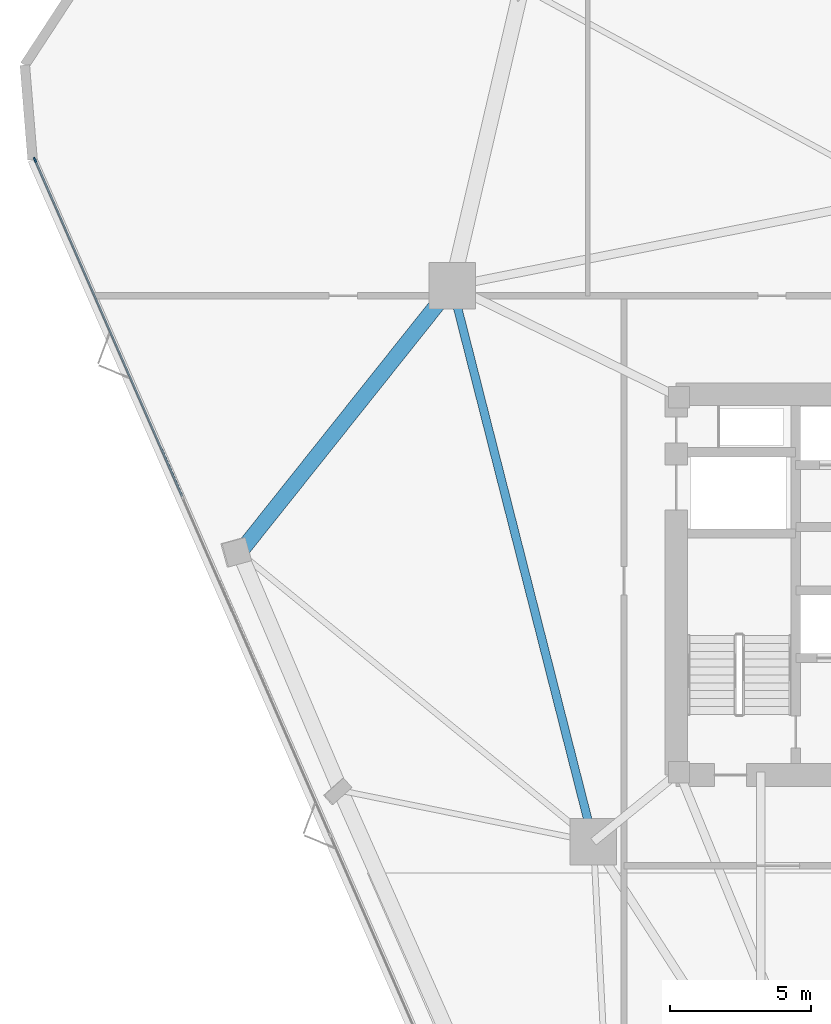
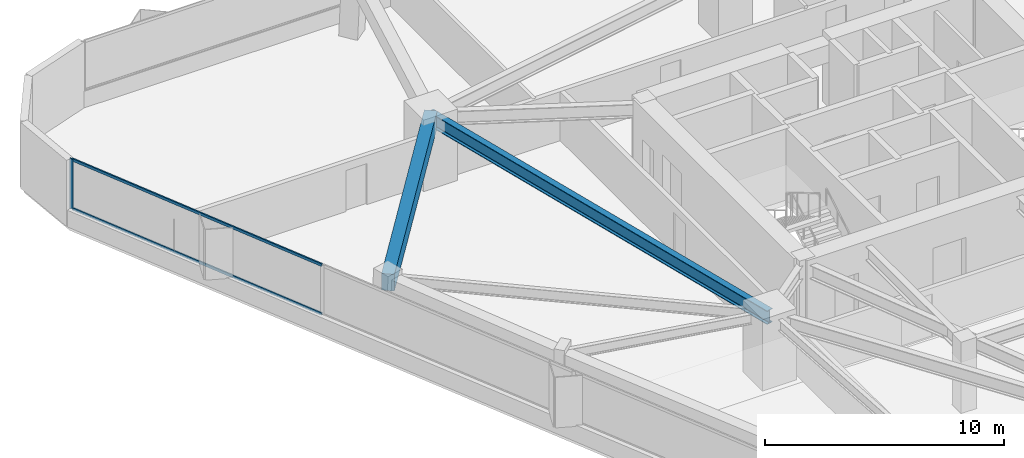
# One storey, part 6 of 18: 3 members, 2 beams, 1 element without a shape of its own.
"""IFC4 building model written with IfcOpenShell, lengths in metres."""

from ifc_helpers import new_model, si_unit, direction, frame, origin, origin_2d, place, context, subcontext, project, spatial, rectangle, i_section, extrude, material, layer, layer_set, material_profile, profile_set, type_object, element, aggregate, save


model = new_model("IFC4")

# Units and contexts
model_context = context("Model", 3, precision=1e-05, world=origin(), true_north=direction((0.0, 1.0)))
body_context = subcontext(model_context, "Body", "Model", "MODEL_VIEW")
ifc_project = project(units=[si_unit("LENGTHUNIT", "METRE"), si_unit("AREAUNIT", "SQUARE_METRE"), si_unit("VOLUMEUNIT", "CUBIC_METRE"), si_unit("PLANEANGLEUNIT", "RADIAN"), si_unit("MASSUNIT", "GRAM", prefix="KILO")], contexts=[model_context])

# Site, building, storey
site_placement = place(None, origin())
site = spatial("IfcSite", under=ifc_project, at=site_placement, CompositionType="ELEMENT")
building_placement = place(site_placement, origin())
building = spatial("IfcBuilding", under=site, at=building_placement, Name="Talyreon Biosciences Tower", CompositionType="ELEMENT")
storey_placement = place(building_placement, frame((0.0, 0.0, 89.60009765625)))
storey = spatial("IfcBuildingStorey", under=building, at=storey_placement, Name="L23", CompositionType="ELEMENT", Elevation=89.60009765625)

# Curtain wall, members
ifc_material_1 = material(Name="Thermally broken aluminium and low-E glazing", Category="aluminium")
ifc_layer = layer(ifc_material_1, 0.18994140625)
ifc_layer_set = layer_set([ifc_layer], Name="Thermally broken aluminium and low-E glazing")
curtain_wall_type = type_object("IfcCurtainWallType", Name="CurtainWall_Zone2Genomics", PredefinedType="NOTDEFINED", material=ifc_layer_set)
curtain_wall_placement = place(storey_placement, origin())
curtain_wall = element("IfcCurtainWall", 1, at=curtain_wall_placement, inside=storey, type_object=curtain_wall_type, Name="L23 Unitised Curtain Wall FCW-L23-00", PredefinedType="NOTDEFINED")
ifc_material_2 = material(Name="Anodised thermally broken aluminium", Category="aluminium")
ifc_material_profile_1 = material_profile(ifc_material_2, rectangle(XDim=0.06494140625, YDim=0.179931640625, at=origin_2d()), Name="ALUM MULLION 65x180")
ifc_profile_set_1 = profile_set([ifc_material_profile_1], Name="Anodised thermally broken aluminium")
member_type_1 = type_object("IfcMemberType", Name="CWMullion_65x180", PredefinedType="MULLION", material=ifc_profile_set_1)
member_1_placement = place(storey_placement, frame((35.1025390625, 83.07275390625, 0.809814453125), z_axis=(0.0, 0.0, 1.0), x_axis=(-0.916278218967, -0.400542414041, 0.0)))
member_1 = element("IfcMember", 2, at=member_1_placement, type_object=member_type_1, Name="CW3 mullion 6", PredefinedType="MULLION", context=body_context, shape_type="SweptSolid", body=[
    extrude(rectangle(XDim=0.06494140625, YDim=0.179931640625, at=origin_2d()), origin(), (0.0, 0.0, 1.0), 2.565185546875),
])
ifc_material_profile_2 = material_profile(ifc_material_2, rectangle(XDim=0.06494140625, YDim=0.139892578125, at=origin_2d()), Name="ALUM TRANSOM 65x140")
ifc_profile_set_2 = profile_set([ifc_material_profile_2], Name="Anodised thermally broken aluminium")
member_type_2 = type_object("IfcMemberType", Name="CWTransom_65x140", PredefinedType="USERDEFINED", material=ifc_profile_set_2)
member_2_placement = place(storey_placement, frame((40.3203125, 71.136474609375, 0.84228515625), z_axis=(-0.400543831876, 0.916277599173, 0.0), x_axis=(-0.916277599173, -0.400543831876, 0.0)))
member_2 = element("IfcMember", 3, at=member_2_placement, type_object=member_type_2, Name="CW3 transom 5.1", ObjectType="TRANSOM", PredefinedType="USERDEFINED", context=body_context, shape_type="SweptSolid", body=[
    extrude(rectangle(XDim=0.06494140625, YDim=0.139892578125, at=origin_2d()), origin(), (0.0, 0.0, 1.0), 12.994384765625),
])
member_3_placement = place(storey_placement, frame((40.3203125, 71.136474609375, 3.34228515625), z_axis=(-0.400543831876, 0.916277599173, 0.0), x_axis=(-0.916277599173, -0.400543831876, 0.0)))
member_3 = element("IfcMember", 4, at=member_3_placement, type_object=member_type_2, Name="CW3 transom 5.2", ObjectType="TRANSOM", PredefinedType="USERDEFINED", context=body_context, shape_type="SweptSolid", body=[
    extrude(rectangle(XDim=0.06494140625, YDim=0.139892578125, at=origin_2d()), origin(), (0.0, 0.0, 1.0), 12.994384765625),
])
aggregate(curtain_wall, [member_1, member_2, member_3])

# Beams
ifc_material_3 = material(Name="Precast concrete C45/55", Category="concrete")
ifc_material_profile_3 = material_profile(ifc_material_3, rectangle(XDim=0.550048828125, YDim=0.85009765625, at=origin_2d()), Name="RCB 550x850")
ifc_profile_set_3 = profile_set([ifc_material_profile_3], Name="Precast concrete C45/55")
beam_type_1 = type_object("IfcBeamType", Name="ExpressedSpandrel_550x850", PredefinedType="SPANDREL", material=ifc_profile_set_3)
beam_1_placement = place(storey_placement, frame((49.897705078125, 78.5986328125, 2.949951171875), z_axis=(-0.622940963006, -0.782268851872, 0.0), x_axis=(0.782268851872, -0.622940963006, 0.0)))
element("IfcBeam", 5, at=beam_1_placement, inside=storey, type_object=beam_type_1, Name="L23 Expressed Horizontal Concrete Spandrel 09", PredefinedType="SPANDREL", context=body_context, shape_type="SweptSolid", body=[
    extrude(rectangle(XDim=0.550048828125, YDim=0.85009765625, at=origin_2d()), origin(), (0.0, 0.0, 1.0), 12.09619140625),
])
ifc_material_4 = material(Name="Steel SM355", Category="steel")
ifc_material_profile_4 = material_profile(ifc_material_4, i_section(OverallWidth=0.300048828125, OverallDepth=0.699951171875, WebThickness=0.01708984375, FlangeThickness=0.031982421875, FilletRadius=0.027099609375, at=origin_2d()), Name="HE700B")
ifc_profile_set_4 = profile_set([ifc_material_profile_4], Name="Steel SM355")
beam_type_2 = type_object("IfcBeamType", Name="SteelGirder_HE700B", PredefinedType="BEAM", material=ifc_profile_set_4)
beam_2_placement = place(storey_placement, frame((49.897705078125, 78.5986328125, 3.02490234375), z_axis=(0.246537082299, -0.969133358755, 0.0), x_axis=(0.969133358755, 0.246537082299, 0.0)))
element("IfcBeam", 6, at=beam_2_placement, inside=storey, type_object=beam_type_2, Name="L23 Mega-Ring Girder 5", PredefinedType="BEAM", context=body_context, shape_type="SweptSolid", body=[
    extrude(i_section(OverallWidth=0.300048828125, OverallDepth=0.699951171875, WebThickness=0.01708984375, FlangeThickness=0.031982421875, FilletRadius=0.027099609375, at=origin_2d()), origin(), (0.0, 0.0, 1.0), 20.34619140625),
])

save(model, "model.ifc")
